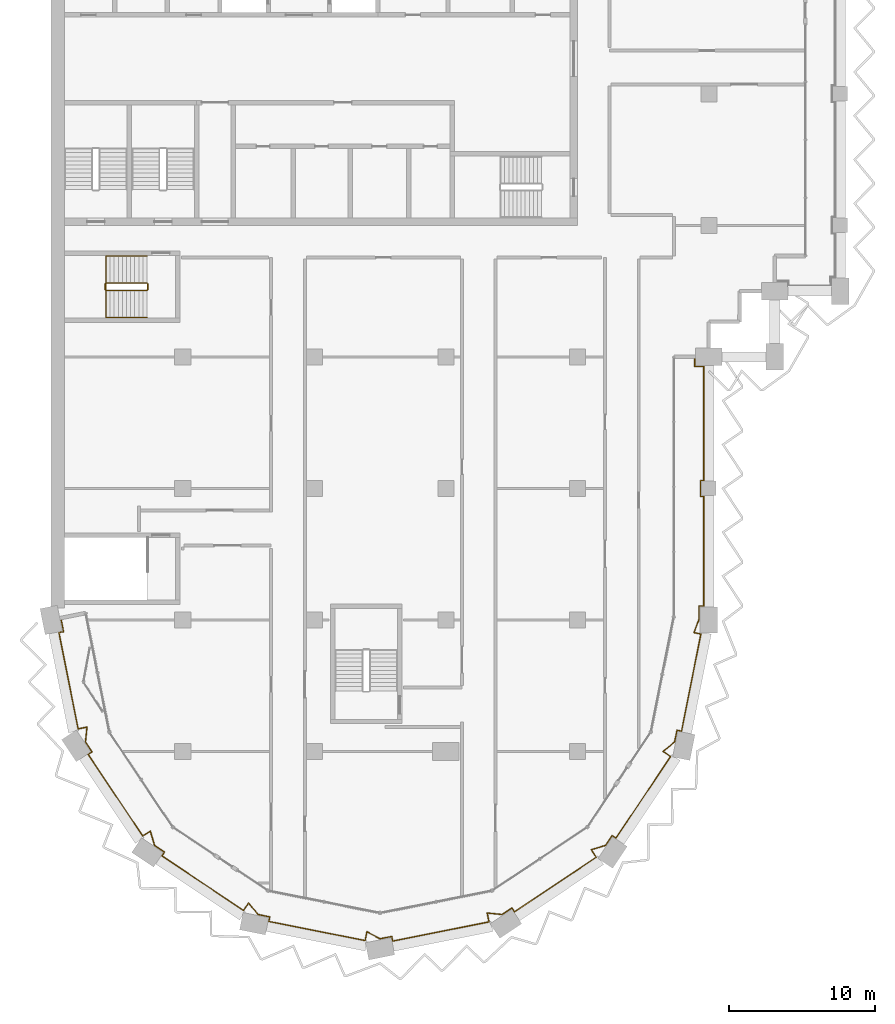
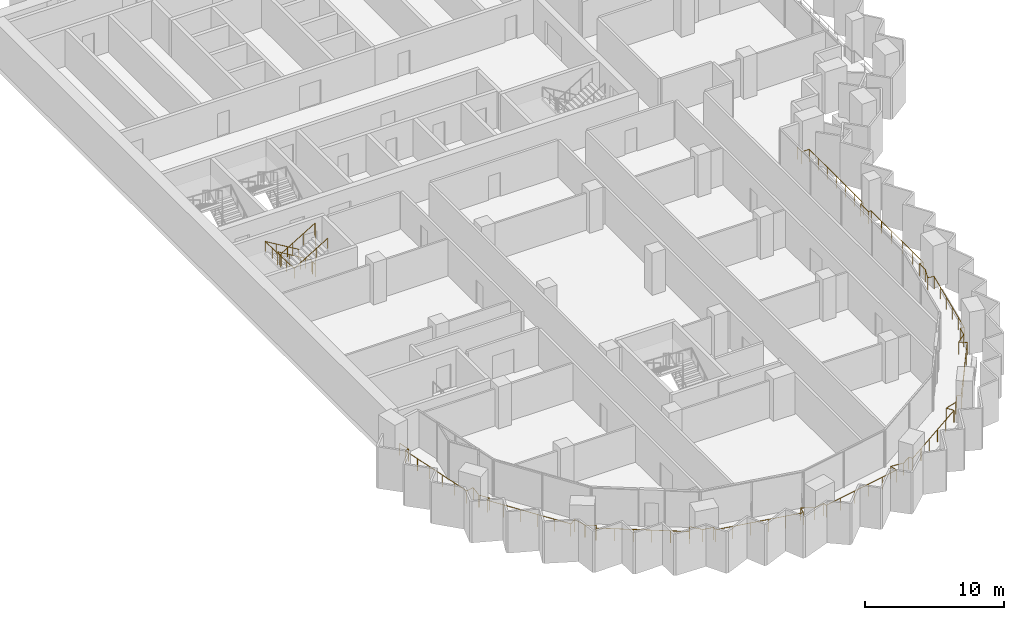
# One storey, part 16 of 18: 3 railings.
"""IFC4 building model written with IfcOpenShell, lengths in metres."""

from ifc_helpers import new_model, si_unit, direction, frame, origin, origin_2d, place, context, subcontext, project, spatial, circle, extrude, material, type_object, element, save


model = new_model("IFC4")

# Units and contexts
model_context = context("Model", 3, precision=1e-05, world=origin(), true_north=direction((0.0, 1.0)))
body_context = subcontext(model_context, "Body", "Model", "MODEL_VIEW")
ifc_project = project(units=[si_unit("LENGTHUNIT", "METRE"), si_unit("AREAUNIT", "SQUARE_METRE"), si_unit("VOLUMEUNIT", "CUBIC_METRE"), si_unit("PLANEANGLEUNIT", "RADIAN"), si_unit("MASSUNIT", "GRAM", prefix="KILO")], contexts=[model_context])

# Site, building, storey
site_placement = place(None, origin())
site = spatial("IfcSite", under=ifc_project, at=site_placement, CompositionType="ELEMENT")
building_placement = place(site_placement, origin())
building = spatial("IfcBuilding", under=site, at=building_placement, Name="Hunhe Ridgeline Campus", CompositionType="ELEMENT")
storey_placement = place(building_placement, frame((0.0, 0.0, 223.5)))
storey = spatial("IfcBuildingStorey", under=building, at=storey_placement, Name="L57", CompositionType="ELEMENT", Elevation=223.5)

# Railings
ifc_material_1 = material(Name="Steel Q355", Category="steel")
railing_type_1 = type_object("IfcRailingType", Name="Loggia guard 1100 Steel Q355", PredefinedType="GUARDRAIL", material=ifc_material_1)
railing_1_placement = place(storey_placement, frame((0.6572265625, 36.130615234375, 0.0)))
element("IfcRailing", 1, at=railing_1_placement, inside=storey, type_object=railing_type_1, Name="Loggia guard 1", PredefinedType="GUARDRAIL", context=body_context, shape_type="SweptSolid", body=[
    extrude(circle(Radius=0.02392578125, at=origin_2d()), frame((0.0, 0.0, 1.076171875), z_axis=(0.195078060519, -0.980787719287, 0.0), x_axis=(0.980787719287, 0.195078060519, 0.0)), (0.0, 0.0, 1.0), 0.949951171875),
    extrude(circle(Radius=0.02392578125, at=origin_2d()), frame((0.185302734375, -0.931640625, 1.076171875), z_axis=(-0.980756274917, -0.195236085831, 0.0), x_axis=(0.195236085831, -0.980756274917, 0.0)), (0.0, 0.0, 1.0), 0.320068359375),
    extrude(circle(Radius=0.02392578125, at=origin_2d()), frame((-0.128662109375, -0.994140625, 1.076171875), z_axis=(0.195081688297, -0.980786997717, 0.0), x_axis=(0.980786997717, 0.195081688297, 0.0)), (0.0, 0.0, 1.0), 6.718017578125),
    extrude(circle(Radius=0.02392578125, at=origin_2d()), frame((1.181884765625, -7.5830078125, 1.076171875), z_axis=(0.980747227858, 0.195281527671, 0.0), x_axis=(-0.195281527671, 0.980747227858, 0.0)), (0.0, 0.0, 1.0), 0.618896484375),
    extrude(circle(Radius=0.02392578125, at=origin_2d()), frame((1.788818359375, -7.462158203125, 1.076171875), z_axis=(-0.100047453171, -0.99498266674, 0.0), x_axis=(0.99498266674, -0.100047453171, 0.0)), (0.0, 0.0, 1.0), 1.0224609375),
    extrude(circle(Radius=0.02392578125, at=origin_2d()), frame((1.6865234375, -8.4794921875, 1.076171875), z_axis=(0.555596479569, -0.83145207432, 0.0), x_axis=(0.83145207432, 0.555596479569, 0.0)), (0.0, 0.0, 1.0), 0.81689453125),
    extrude(circle(Radius=0.02392578125, at=origin_2d()), frame((2.140380859375, -9.15869140625, 1.076171875), z_axis=(-0.831580508376, -0.555404229448, 0.0), x_axis=(0.555404229448, -0.831580508376, 0.0)), (0.0, 0.0, 1.0), 0.320068359375),
    extrude(circle(Radius=0.02392578125, at=origin_2d()), frame((1.874267578125, -9.33642578125, 1.076171875), z_axis=(0.555588848626, -0.831457173451, 0.0), x_axis=(0.831457173451, 0.555588848626, 0.0)), (0.0, 0.0, 1.0), 6.718017578125),
    extrude(circle(Radius=0.02392578125, at=origin_2d()), frame((5.606689453125, -14.922119140625, 1.076171875), z_axis=(0.831442704119, 0.555610501851, 0.0), x_axis=(-0.555610501851, 0.831442704119, 0.0)), (0.0, 0.0, 1.0), 0.61865234375),
    extrude(circle(Radius=0.02392578125, at=origin_2d()), frame((6.12109375, -14.578369140625, 1.076171875), z_axis=(0.28844300651, -0.957497066312, 0.0), x_axis=(0.957497066312, 0.28844300651, 0.0)), (0.0, 0.0, 1.0), 1.0224609375),
    extrude(circle(Radius=0.02392578125, at=origin_2d()), frame((6.416015625, -15.557373046875, 1.076171875), z_axis=(0.831359782977, -0.55573456906, 0.0), x_axis=(0.55573456906, 0.831359782977, 0.0)), (0.0, 0.0, 1.0), 0.816650390625),
    extrude(circle(Radius=0.02392578125, at=origin_2d()), frame((7.094970703125, -16.01123046875, 1.076171875), z_axis=(-0.555404229448, -0.831580508376, 0.0), x_axis=(0.831580508376, -0.555404229448, 0.0)), (0.0, 0.0, 1.0), 0.320068359375),
    extrude(circle(Radius=0.02392578125, at=origin_2d()), frame((6.917236328125, -16.27734375, 1.076171875), z_axis=(0.831473961305, -0.555563724222, 0.0), x_axis=(0.555563724222, 0.831473961305, 0.0)), (0.0, 0.0, 1.0), 6.7177734375),
    extrude(circle(Radius=0.02392578125, at=origin_2d()), frame((12.5029296875, -20.009521484375, 1.076171875), z_axis=(0.555610501851, 0.831442704119, 0.0), x_axis=(-0.831442704119, 0.555610501851, 0.0)), (0.0, 0.0, 1.0), 0.61865234375),
    extrude(circle(Radius=0.02392578125, at=origin_2d()), frame((12.8466796875, -19.4951171875, 1.076171875), z_axis=(0.63289971186, -0.774233785576, 0.0), x_axis=(0.774233785576, 0.63289971186, 0.0)), (0.0, 0.0, 1.0), 1.022705078125),
    extrude(circle(Radius=0.02392578125, at=origin_2d()), frame((13.493896484375, -20.286865234375, 1.076171875), z_axis=(0.980821383877, -0.194908729743, 0.0), x_axis=(0.194908729743, 0.980821383877, 0.0)), (0.0, 0.0, 1.0), 0.816650390625),
    extrude(circle(Radius=0.02392578125, at=origin_2d()), frame((14.294921875, -20.446044921875, 1.076171875), z_axis=(-0.195236085831, -0.980756274917, 0.0), x_axis=(0.980756274917, -0.195236085831, 0.0)), (0.0, 0.0, 1.0), 0.320068359375),
    extrude(circle(Radius=0.02392578125, at=origin_2d()), frame((14.232421875, -20.760009765625, 1.076171875), z_axis=(0.980786997717, -0.195081688297, 0.0), x_axis=(0.195081688297, 0.980786997717, 0.0)), (0.0, 0.0, 1.0), 6.718017578125),
    extrude(circle(Radius=0.02392578125, at=origin_2d()), frame((20.8212890625, -22.070556640625, 1.076171875), z_axis=(0.194902020226, 0.980822717168, 0.0), x_axis=(-0.980822717168, 0.194902020226, 0.0)), (0.0, 0.0, 1.0), 0.618896484375),
    extrude(circle(Radius=0.02392578125, at=origin_2d()), frame((20.94189453125, -21.463623046875, 1.076171875), z_axis=(0.880961256043, -0.473188403652, 0.0), x_axis=(0.473188403652, 0.880961256043, 0.0)), (0.0, 0.0, 1.0), 1.022705078125),
    extrude(circle(Radius=0.02392578125, at=origin_2d()), frame((21.8427734375, -21.947509765625, 1.076171875), z_axis=(0.980764196543, 0.195196287822, 0.0), x_axis=(-0.195196287822, 0.980764196543, 0.0)), (0.0, 0.0, 1.0), 0.816650390625),
    extrude(circle(Radius=0.02392578125, at=origin_2d()), frame((22.643798828125, -21.7880859375, 1.076171875), z_axis=(0.195236085831, -0.980756274917, 0.0), x_axis=(0.980756274917, 0.195236085831, 0.0)), (0.0, 0.0, 1.0), 0.320068359375),
    extrude(circle(Radius=0.02392578125, at=origin_2d()), frame((22.706298828125, -22.10205078125, 1.076171875), z_axis=(0.980786997717, 0.195081688297, 0.0), x_axis=(-0.195081688297, 0.980786997717, 0.0)), (0.0, 0.0, 1.0), 6.718017578125),
    extrude(circle(Radius=0.02392578125, at=origin_2d()), frame((29.295166015625, -20.79150390625, 1.076171875), z_axis=(-0.195281527671, 0.980747227858, 0.0), x_axis=(-0.980747227858, -0.195281527671, 0.0)), (0.0, 0.0, 1.0), 0.618896484375),
    extrude(circle(Radius=0.02392578125, at=origin_2d()), frame((29.17431640625, -20.1845703125, 1.076171875), z_axis=(0.99498266674, -0.100047453171, 0.0), x_axis=(0.100047453171, 0.99498266674, 0.0)), (0.0, 0.0, 1.0), 1.0224609375),
    extrude(circle(Radius=0.02392578125, at=origin_2d()), frame((30.191650390625, -20.286865234375, 1.076171875), z_axis=(0.83145207432, 0.555596479569, 0.0), x_axis=(-0.555596479569, 0.83145207432, 0.0)), (0.0, 0.0, 1.0), 0.81689453125),
    extrude(circle(Radius=0.02392578125, at=origin_2d()), frame((30.870849609375, -19.8330078125, 1.076171875), z_axis=(0.555404229448, -0.831580508376, 0.0), x_axis=(0.831580508376, 0.555404229448, 0.0)), (0.0, 0.0, 1.0), 0.320068359375),
    extrude(circle(Radius=0.02392578125, at=origin_2d()), frame((31.048583984375, -20.09912109375, 1.076171875), z_axis=(0.831457173451, 0.555588848626, 0.0), x_axis=(-0.555588848626, 0.831457173451, 0.0)), (0.0, 0.0, 1.0), 6.718017578125),
    extrude(circle(Radius=0.02392578125, at=origin_2d()), frame((36.63427734375, -16.36669921875, 1.076171875), z_axis=(-0.555610501851, 0.831442704119, 0.0), x_axis=(-0.831442704119, -0.555610501851, 0.0)), (0.0, 0.0, 1.0), 0.61865234375),
    extrude(circle(Radius=0.02392578125, at=origin_2d()), frame((36.29052734375, -15.852294921875, 1.076171875), z_axis=(0.957497066312, 0.28844300651, 0.0), x_axis=(-0.28844300651, 0.957497066312, 0.0)), (0.0, 0.0, 1.0), 1.0224609375),
    extrude(circle(Radius=0.02392578125, at=origin_2d()), frame((37.26953125, -15.557373046875, 1.076171875), z_axis=(0.55573456906, 0.831359782977, 0.0), x_axis=(-0.831359782977, 0.55573456906, 0.0)), (0.0, 0.0, 1.0), 0.816650390625),
    extrude(circle(Radius=0.02392578125, at=origin_2d()), frame((37.723388671875, -14.87841796875, 1.076171875), z_axis=(0.831580508376, -0.555404229448, 0.0), x_axis=(0.555404229448, 0.831580508376, 0.0)), (0.0, 0.0, 1.0), 0.320068359375),
    extrude(circle(Radius=0.02392578125, at=origin_2d()), frame((37.989501953125, -15.05615234375, 1.076171875), z_axis=(0.555563724222, 0.831473961305, 0.0), x_axis=(-0.831473961305, 0.555563724222, 0.0)), (0.0, 0.0, 1.0), 6.7177734375),
    extrude(circle(Radius=0.02392578125, at=origin_2d()), frame((41.7216796875, -9.470458984375, 1.076171875), z_axis=(-0.831442704119, 0.555610501851, 0.0), x_axis=(-0.555610501851, -0.831442704119, 0.0)), (0.0, 0.0, 1.0), 0.61865234375),
    extrude(circle(Radius=0.02392578125, at=origin_2d()), frame((41.207275390625, -9.126708984375, 1.076171875), z_axis=(0.774233785576, 0.63289971186, 0.0), x_axis=(-0.63289971186, 0.774233785576, 0.0)), (0.0, 0.0, 1.0), 1.022705078125),
    extrude(circle(Radius=0.02392578125, at=origin_2d()), frame((41.9990234375, -8.4794921875, 1.076171875), z_axis=(0.194908729743, 0.980821383877, 0.0), x_axis=(-0.980821383877, 0.194908729743, 0.0)), (0.0, 0.0, 1.0), 0.816650390625),
    extrude(circle(Radius=0.02392578125, at=origin_2d()), frame((42.158203125, -7.678466796875, 1.076171875), z_axis=(0.980756274917, -0.195236085831, 0.0), x_axis=(0.195236085831, 0.980756274917, 0.0)), (0.0, 0.0, 1.0), 0.320068359375),
    extrude(circle(Radius=0.02392578125, at=origin_2d()), frame((42.47216796875, -7.740966796875, 1.076171875), z_axis=(0.195084106665, 0.980786516693, 0.0), x_axis=(-0.980786516693, 0.195084106665, 0.0)), (0.0, 0.0, 1.0), 6.779296875),
    extrude(circle(Radius=0.02392578125, at=origin_2d()), frame((43.794677734375, -1.092041015625, 1.076171875), z_axis=(-0.980754922768, 0.195242878144, 0.0), x_axis=(-0.195242878144, -0.980754922768, 0.0)), (0.0, 0.0, 1.0), 0.48388671875),
    extrude(circle(Radius=0.02392578125, at=origin_2d()), frame((43.320068359375, -0.99755859375, 1.076171875), z_axis=(0.353724256779, 0.93534974751, 0.0), x_axis=(-0.93534974751, 0.353724256779, 0.0)), (0.0, 0.0, 1.0), 0.997314453125),
    extrude(circle(Radius=0.02392578125, at=origin_2d()), frame((43.6728515625, -0.064697265625, 1.076171875), z_axis=(0.0, 1.0, 0.0), x_axis=(-1.0, 0.0, 0.0)), (0.0, 0.0, 1.0), 0.884033203125),
    extrude(circle(Radius=0.02392578125, at=origin_2d()), frame((43.6728515625, 0.8193359375, 1.076171875), z_axis=(1.0, 0.0, 0.0), x_axis=(0.0, 1.0, 0.0)), (0.0, 0.0, 1.0), 0.31982421875),
    extrude(circle(Radius=0.02392578125, at=origin_2d()), frame((43.99267578125, 0.8193359375, 1.076171875), z_axis=(0.0, 1.0, 0.0), x_axis=(-1.0, 0.0, 0.0)), (0.0, 0.0, 1.0), 7.5),
    extrude(circle(Radius=0.02392578125, at=origin_2d()), frame((43.99267578125, 8.3193359375, 1.076171875), z_axis=(-1.0, 0.0, 0.0), x_axis=(0.0, -1.0, 0.0)), (0.0, 0.0, 1.0), 0.219970703125),
    extrude(circle(Radius=0.02392578125, at=origin_2d()), frame((43.772705078125, 8.3193359375, 1.076171875), z_axis=(0.0, 1.0, 0.0), x_axis=(-1.0, 0.0, 0.0)), (0.0, 0.0, 1.0), 1.10009765625),
    extrude(circle(Radius=0.02392578125, at=origin_2d()), frame((43.772705078125, 9.41943359375, 1.076171875), z_axis=(1.0, 0.0, 0.0), x_axis=(0.0, 1.0, 0.0)), (0.0, 0.0, 1.0), 0.219970703125),
    extrude(circle(Radius=0.02392578125, at=origin_2d()), frame((43.99267578125, 9.41943359375, 1.076171875), z_axis=(0.0, 1.0, 0.0), x_axis=(-1.0, 0.0, 0.0)), (0.0, 0.0, 1.0), 7.800048828125),
    extrude(circle(Radius=0.02392578125, at=origin_2d()), frame((43.99267578125, 17.219482421875, 1.076171875), z_axis=(-1.0, 0.0, 0.0), x_axis=(0.0, -1.0, 0.0)), (0.0, 0.0, 1.0), 0.619873046875),
    extrude(circle(Radius=0.02392578125, at=origin_2d()), frame((43.372802734375, 17.219482421875, 1.076171875), z_axis=(0.0, 1.0, 0.0), x_axis=(-1.0, 0.0, 0.0)), (0.0, 0.0, 1.0), 0.64990234375),
    extrude(circle(Radius=0.02099609375, at=origin_2d()), origin(), (0.0, 0.0, 1.0), 1.052001953125),
    extrude(circle(Radius=0.02099609375, at=origin_2d()), frame((0.185302734375, -0.931640625, 0.0)), (0.0, 0.0, 1.0), 1.052001953125),
    extrude(circle(Radius=0.02099609375, at=origin_2d()), frame((-0.128662109375, -0.994140625, 0.0)), (0.0, 0.0, 1.0), 1.052001953125),
    extrude(circle(Radius=0.02099609375, at=origin_2d()), frame((0.133544921875, -2.31201171875, 0.0)), (0.0, 0.0, 1.0), 1.052001953125),
    extrude(circle(Radius=0.02099609375, at=origin_2d()), frame((0.3955078125, -3.629638671875, 0.0)), (0.0, 0.0, 1.0), 1.052001953125),
    extrude(circle(Radius=0.02099609375, at=origin_2d()), frame((0.65771484375, -4.947509765625, 0.0)), (0.0, 0.0, 1.0), 1.052001953125),
    extrude(circle(Radius=0.02099609375, at=origin_2d()), frame((0.919677734375, -6.26513671875, 0.0)), (0.0, 0.0, 1.0), 1.052001953125),
    extrude(circle(Radius=0.02099609375, at=origin_2d()), frame((1.181884765625, -7.5830078125, 0.0)), (0.0, 0.0, 1.0), 1.052001953125),
    extrude(circle(Radius=0.02099609375, at=origin_2d()), frame((1.788818359375, -7.462158203125, 0.0)), (0.0, 0.0, 1.0), 1.052001953125),
    extrude(circle(Radius=0.02099609375, at=origin_2d()), frame((1.6865234375, -8.4794921875, 0.0)), (0.0, 0.0, 1.0), 1.052001953125),
    extrude(circle(Radius=0.02099609375, at=origin_2d()), frame((2.140380859375, -9.15869140625, 0.0)), (0.0, 0.0, 1.0), 1.052001953125),
    extrude(circle(Radius=0.02099609375, at=origin_2d()), frame((1.874267578125, -9.33642578125, 0.0)), (0.0, 0.0, 1.0), 1.052001953125),
    extrude(circle(Radius=0.02099609375, at=origin_2d()), frame((2.620849609375, -10.45361328125, 0.0)), (0.0, 0.0, 1.0), 1.052001953125),
    extrude(circle(Radius=0.02099609375, at=origin_2d()), frame((3.3671875, -11.57080078125, 0.0)), (0.0, 0.0, 1.0), 1.052001953125),
    extrude(circle(Radius=0.02099609375, at=origin_2d()), frame((4.11376953125, -12.687744140625, 0.0)), (0.0, 0.0, 1.0), 1.052001953125),
    extrude(circle(Radius=0.02099609375, at=origin_2d()), frame((4.860107421875, -13.804931640625, 0.0)), (0.0, 0.0, 1.0), 1.052001953125),
    extrude(circle(Radius=0.02099609375, at=origin_2d()), frame((5.606689453125, -14.922119140625, 0.0)), (0.0, 0.0, 1.0), 1.052001953125),
    extrude(circle(Radius=0.02099609375, at=origin_2d()), frame((6.12109375, -14.578369140625, 0.0)), (0.0, 0.0, 1.0), 1.052001953125),
    extrude(circle(Radius=0.02099609375, at=origin_2d()), frame((6.416015625, -15.557373046875, 0.0)), (0.0, 0.0, 1.0), 1.052001953125),
    extrude(circle(Radius=0.02099609375, at=origin_2d()), frame((7.094970703125, -16.01123046875, 0.0)), (0.0, 0.0, 1.0), 1.052001953125),
    extrude(circle(Radius=0.02099609375, at=origin_2d()), frame((6.917236328125, -16.27734375, 0.0)), (0.0, 0.0, 1.0), 1.052001953125),
    extrude(circle(Radius=0.02099609375, at=origin_2d()), frame((8.034423828125, -17.023681640625, 0.0)), (0.0, 0.0, 1.0), 1.052001953125),
    extrude(circle(Radius=0.02099609375, at=origin_2d()), frame((9.151611328125, -17.770263671875, 0.0)), (0.0, 0.0, 1.0), 1.052001953125),
    extrude(circle(Radius=0.02099609375, at=origin_2d()), frame((10.2685546875, -18.5166015625, 0.0)), (0.0, 0.0, 1.0), 1.052001953125),
    extrude(circle(Radius=0.02099609375, at=origin_2d()), frame((11.3857421875, -19.26318359375, 0.0)), (0.0, 0.0, 1.0), 1.052001953125),
    extrude(circle(Radius=0.02099609375, at=origin_2d()), frame((12.5029296875, -20.009521484375, 0.0)), (0.0, 0.0, 1.0), 1.052001953125),
    extrude(circle(Radius=0.02099609375, at=origin_2d()), frame((12.8466796875, -19.4951171875, 0.0)), (0.0, 0.0, 1.0), 1.052001953125),
    extrude(circle(Radius=0.02099609375, at=origin_2d()), frame((13.493896484375, -20.286865234375, 0.0)), (0.0, 0.0, 1.0), 1.052001953125),
    extrude(circle(Radius=0.02099609375, at=origin_2d()), frame((14.294921875, -20.446044921875, 0.0)), (0.0, 0.0, 1.0), 1.052001953125),
    extrude(circle(Radius=0.02099609375, at=origin_2d()), frame((14.232421875, -20.760009765625, 0.0)), (0.0, 0.0, 1.0), 1.052001953125),
    extrude(circle(Radius=0.02099609375, at=origin_2d()), frame((15.55029296875, -21.022216796875, 0.0)), (0.0, 0.0, 1.0), 1.052001953125),
    extrude(circle(Radius=0.02099609375, at=origin_2d()), frame((16.867919921875, -21.2841796875, 0.0)), (0.0, 0.0, 1.0), 1.052001953125),
    extrude(circle(Radius=0.02099609375, at=origin_2d()), frame((18.185791015625, -21.54638671875, 0.0)), (0.0, 0.0, 1.0), 1.052001953125),
    extrude(circle(Radius=0.02099609375, at=origin_2d()), frame((19.50341796875, -21.808349609375, 0.0)), (0.0, 0.0, 1.0), 1.052001953125),
    extrude(circle(Radius=0.02099609375, at=origin_2d()), frame((20.8212890625, -22.070556640625, 0.0)), (0.0, 0.0, 1.0), 1.052001953125),
    extrude(circle(Radius=0.02099609375, at=origin_2d()), frame((20.94189453125, -21.463623046875, 0.0)), (0.0, 0.0, 1.0), 1.052001953125),
    extrude(circle(Radius=0.02099609375, at=origin_2d()), frame((21.8427734375, -21.947509765625, 0.0)), (0.0, 0.0, 1.0), 1.052001953125),
    extrude(circle(Radius=0.02099609375, at=origin_2d()), frame((22.643798828125, -21.7880859375, 0.0)), (0.0, 0.0, 1.0), 1.052001953125),
    extrude(circle(Radius=0.02099609375, at=origin_2d()), frame((22.706298828125, -22.10205078125, 0.0)), (0.0, 0.0, 1.0), 1.052001953125),
    extrude(circle(Radius=0.02099609375, at=origin_2d()), frame((24.024169921875, -21.83984375, 0.0)), (0.0, 0.0, 1.0), 1.052001953125),
    extrude(circle(Radius=0.02099609375, at=origin_2d()), frame((25.341796875, -21.577880859375, 0.0)), (0.0, 0.0, 1.0), 1.052001953125),
    extrude(circle(Radius=0.02099609375, at=origin_2d()), frame((26.65966796875, -21.315673828125, 0.0)), (0.0, 0.0, 1.0), 1.052001953125),
    extrude(circle(Radius=0.02099609375, at=origin_2d()), frame((27.977294921875, -21.0537109375, 0.0)), (0.0, 0.0, 1.0), 1.052001953125),
    extrude(circle(Radius=0.02099609375, at=origin_2d()), frame((29.295166015625, -20.79150390625, 0.0)), (0.0, 0.0, 1.0), 1.052001953125),
    extrude(circle(Radius=0.02099609375, at=origin_2d()), frame((29.17431640625, -20.1845703125, 0.0)), (0.0, 0.0, 1.0), 1.052001953125),
    extrude(circle(Radius=0.02099609375, at=origin_2d()), frame((30.191650390625, -20.286865234375, 0.0)), (0.0, 0.0, 1.0), 1.052001953125),
    extrude(circle(Radius=0.02099609375, at=origin_2d()), frame((30.870849609375, -19.8330078125, 0.0)), (0.0, 0.0, 1.0), 1.052001953125),
    extrude(circle(Radius=0.02099609375, at=origin_2d()), frame((31.048583984375, -20.09912109375, 0.0)), (0.0, 0.0, 1.0), 1.052001953125),
    extrude(circle(Radius=0.02099609375, at=origin_2d()), frame((32.165771484375, -19.3525390625, 0.0)), (0.0, 0.0, 1.0), 1.052001953125),
    extrude(circle(Radius=0.02099609375, at=origin_2d()), frame((33.282958984375, -18.606201171875, 0.0)), (0.0, 0.0, 1.0), 1.052001953125),
    extrude(circle(Radius=0.02099609375, at=origin_2d()), frame((34.39990234375, -17.859619140625, 0.0)), (0.0, 0.0, 1.0), 1.052001953125),
    extrude(circle(Radius=0.02099609375, at=origin_2d()), frame((35.51708984375, -17.11328125, 0.0)), (0.0, 0.0, 1.0), 1.052001953125),
    extrude(circle(Radius=0.02099609375, at=origin_2d()), frame((36.63427734375, -16.36669921875, 0.0)), (0.0, 0.0, 1.0), 1.052001953125),
    extrude(circle(Radius=0.02099609375, at=origin_2d()), frame((36.29052734375, -15.852294921875, 0.0)), (0.0, 0.0, 1.0), 1.052001953125),
    extrude(circle(Radius=0.02099609375, at=origin_2d()), frame((37.26953125, -15.557373046875, 0.0)), (0.0, 0.0, 1.0), 1.052001953125),
    extrude(circle(Radius=0.02099609375, at=origin_2d()), frame((37.723388671875, -14.87841796875, 0.0)), (0.0, 0.0, 1.0), 1.052001953125),
    extrude(circle(Radius=0.02099609375, at=origin_2d()), frame((37.989501953125, -15.05615234375, 0.0)), (0.0, 0.0, 1.0), 1.052001953125),
    extrude(circle(Radius=0.02099609375, at=origin_2d()), frame((38.73583984375, -13.93896484375, 0.0)), (0.0, 0.0, 1.0), 1.052001953125),
    extrude(circle(Radius=0.02099609375, at=origin_2d()), frame((39.482421875, -12.82177734375, 0.0)), (0.0, 0.0, 1.0), 1.052001953125),
    extrude(circle(Radius=0.02099609375, at=origin_2d()), frame((40.228759765625, -11.704833984375, 0.0)), (0.0, 0.0, 1.0), 1.052001953125),
    extrude(circle(Radius=0.02099609375, at=origin_2d()), frame((40.975341796875, -10.587646484375, 0.0)), (0.0, 0.0, 1.0), 1.052001953125),
    extrude(circle(Radius=0.02099609375, at=origin_2d()), frame((41.7216796875, -9.470458984375, 0.0)), (0.0, 0.0, 1.0), 1.052001953125),
    extrude(circle(Radius=0.02099609375, at=origin_2d()), frame((41.207275390625, -9.126708984375, 0.0)), (0.0, 0.0, 1.0), 1.052001953125),
    extrude(circle(Radius=0.02099609375, at=origin_2d()), frame((41.9990234375, -8.4794921875, 0.0)), (0.0, 0.0, 1.0), 1.052001953125),
    extrude(circle(Radius=0.02099609375, at=origin_2d()), frame((42.158203125, -7.678466796875, 0.0)), (0.0, 0.0, 1.0), 1.052001953125),
    extrude(circle(Radius=0.02099609375, at=origin_2d()), frame((42.47216796875, -7.740966796875, 0.0)), (0.0, 0.0, 1.0), 1.052001953125),
    extrude(circle(Radius=0.02099609375, at=origin_2d()), frame((42.736572265625, -6.4111328125, 0.0)), (0.0, 0.0, 1.0), 1.052001953125),
    extrude(circle(Radius=0.02099609375, at=origin_2d()), frame((43.001220703125, -5.081298828125, 0.0)), (0.0, 0.0, 1.0), 1.052001953125),
    extrude(circle(Radius=0.02099609375, at=origin_2d()), frame((43.265625, -3.751708984375, 0.0)), (0.0, 0.0, 1.0), 1.052001953125),
    extrude(circle(Radius=0.02099609375, at=origin_2d()), frame((43.5302734375, -2.421875, 0.0)), (0.0, 0.0, 1.0), 1.052001953125),
    extrude(circle(Radius=0.02099609375, at=origin_2d()), frame((43.794677734375, -1.092041015625, 0.0)), (0.0, 0.0, 1.0), 1.052001953125),
    extrude(circle(Radius=0.02099609375, at=origin_2d()), frame((43.320068359375, -0.99755859375, 0.0)), (0.0, 0.0, 1.0), 1.052001953125),
    extrude(circle(Radius=0.02099609375, at=origin_2d()), frame((43.6728515625, -0.064697265625, 0.0)), (0.0, 0.0, 1.0), 1.052001953125),
    extrude(circle(Radius=0.02099609375, at=origin_2d()), frame((43.6728515625, 0.8193359375, 0.0)), (0.0, 0.0, 1.0), 1.052001953125),
    extrude(circle(Radius=0.02099609375, at=origin_2d()), frame((43.99267578125, 0.8193359375, 0.0)), (0.0, 0.0, 1.0), 1.052001953125),
    extrude(circle(Radius=0.02099609375, at=origin_2d()), frame((43.99267578125, 2.3193359375, 0.0)), (0.0, 0.0, 1.0), 1.052001953125),
    extrude(circle(Radius=0.02099609375, at=origin_2d()), frame((43.99267578125, 3.8193359375, 0.0)), (0.0, 0.0, 1.0), 1.052001953125),
    extrude(circle(Radius=0.02099609375, at=origin_2d()), frame((43.99267578125, 5.3193359375, 0.0)), (0.0, 0.0, 1.0), 1.052001953125),
    extrude(circle(Radius=0.02099609375, at=origin_2d()), frame((43.99267578125, 6.8193359375, 0.0)), (0.0, 0.0, 1.0), 1.052001953125),
    extrude(circle(Radius=0.02099609375, at=origin_2d()), frame((43.99267578125, 8.3193359375, 0.0)), (0.0, 0.0, 1.0), 1.052001953125),
    extrude(circle(Radius=0.02099609375, at=origin_2d()), frame((43.772705078125, 8.3193359375, 0.0)), (0.0, 0.0, 1.0), 1.052001953125),
    extrude(circle(Radius=0.02099609375, at=origin_2d()), frame((43.772705078125, 9.41943359375, 0.0)), (0.0, 0.0, 1.0), 1.052001953125),
    extrude(circle(Radius=0.02099609375, at=origin_2d()), frame((43.99267578125, 9.41943359375, 0.0)), (0.0, 0.0, 1.0), 1.052001953125),
    extrude(circle(Radius=0.02099609375, at=origin_2d()), frame((43.99267578125, 10.719482421875, 0.0)), (0.0, 0.0, 1.0), 1.052001953125),
    extrude(circle(Radius=0.02099609375, at=origin_2d()), frame((43.99267578125, 12.01953125, 0.0)), (0.0, 0.0, 1.0), 1.052001953125),
    extrude(circle(Radius=0.02099609375, at=origin_2d()), frame((43.99267578125, 13.3193359375, 0.0)), (0.0, 0.0, 1.0), 1.052001953125),
    extrude(circle(Radius=0.02099609375, at=origin_2d()), frame((43.99267578125, 14.619384765625, 0.0)), (0.0, 0.0, 1.0), 1.052001953125),
    extrude(circle(Radius=0.02099609375, at=origin_2d()), frame((43.99267578125, 15.91943359375, 0.0)), (0.0, 0.0, 1.0), 1.052001953125),
    extrude(circle(Radius=0.02099609375, at=origin_2d()), frame((43.99267578125, 17.219482421875, 0.0)), (0.0, 0.0, 1.0), 1.052001953125),
    extrude(circle(Radius=0.02099609375, at=origin_2d()), frame((43.372802734375, 17.219482421875, 0.0)), (0.0, 0.0, 1.0), 1.052001953125),
    extrude(circle(Radius=0.02099609375, at=origin_2d()), frame((43.372802734375, 17.869384765625, 0.0)), (0.0, 0.0, 1.0), 1.052001953125),
])
ifc_material_2 = material(Name="Stainless steel balustrade", Category="steel")
railing_type_2 = type_object("IfcRailingType", Name="Stair guard 1100 stainless", PredefinedType="GUARDRAIL", material=ifc_material_2)
railing_2_placement = place(storey_placement, frame((6.550048828125, 59.050048828125, 0.168212890625)))
element("IfcRailing", 2, at=railing_2_placement, inside=storey, type_object=railing_type_2, Name="L57 stair W2 guard", PredefinedType="GUARDRAIL", context=body_context, shape_type="SweptSolid", body=[
    extrude(circle(Radius=0.02392578125, at=origin_2d()), frame((0.0, 0.0, 1.076171875), z_axis=(-0.857242210791, 0.0, 0.514913383045), x_axis=(0.0, -1.0, 0.0)), (0.0, 0.0, 1.0), 3.266357421875),
    extrude(circle(Radius=0.02392578125, at=origin_2d()), frame((-2.800048828125, 0.0, 2.7578125), z_axis=(-0.707106781187, -0.707106781187, 0.0), x_axis=(0.707106781187, -0.707106781187, 0.0)), (0.0, 0.0, 1.0), 0.07080078125),
    extrude(circle(Radius=0.02392578125, at=origin_2d()), frame((-2.85009765625, -0.050048828125, 2.7578125), z_axis=(0.0, -1.0, 0.0), x_axis=(1.0, 0.0, 0.0)), (0.0, 0.0, 1.0), 0.39990234375),
    extrude(circle(Radius=0.02392578125, at=origin_2d()), frame((-2.85009765625, -0.449951171875, 2.7578125), z_axis=(0.274582412415, -0.274582412415, 0.921525364591), x_axis=(0.707106781187, 0.707106781187, 0.0)), (0.0, 0.0, 1.0), 0.182373046875),
    extrude(circle(Radius=0.02392578125, at=origin_2d()), frame((-2.800048828125, -0.5, 2.92578125), z_axis=(0.857242210791, 0.0, 0.514913383045), x_axis=(0.0, 1.0, 0.0)), (0.0, 0.0, 1.0), 3.266357421875),
    extrude(circle(Radius=0.02392578125, at=origin_2d()), frame((0.0, -0.5, 4.60791015625), z_axis=(0.013524414389, 0.013524414389, -0.999817073484), x_axis=(-0.707106781187, 0.707106781187, 0.0)), (0.0, 0.0, 1.0), 3.70068359375),
    extrude(circle(Radius=0.02392578125, at=origin_2d()), frame((0.050048828125, -0.449951171875, 0.90771484375), z_axis=(0.0, 1.0, 0.0), x_axis=(-1.0, 0.0, 0.0)), (0.0, 0.0, 1.0), 0.39990234375),
    extrude(circle(Radius=0.02099609375, at=origin_2d()), origin(), (0.0, 0.0, 1.0), 1.052001953125),
    extrude(circle(Radius=0.02099609375, at=origin_2d()), frame((-0.933349609375, 0.0, 0.560546875)), (0.0, 0.0, 1.0), 1.052001953125),
    extrude(circle(Radius=0.02099609375, at=origin_2d()), frame((-1.86669921875, 0.0, 1.121337890625)), (0.0, 0.0, 1.0), 1.052001953125),
    extrude(circle(Radius=0.02099609375, at=origin_2d()), frame((-2.800048828125, 0.0, 1.681884765625)), (0.0, 0.0, 1.0), 1.052001953125),
    extrude(circle(Radius=0.02099609375, at=origin_2d()), frame((-2.85009765625, -0.050048828125, 1.681884765625)), (0.0, 0.0, 1.0), 1.052001953125),
    extrude(circle(Radius=0.02099609375, at=origin_2d()), frame((-2.85009765625, -0.449951171875, 1.681884765625)), (0.0, 0.0, 1.0), 1.052001953125),
    extrude(circle(Radius=0.02099609375, at=origin_2d()), frame((-2.800048828125, -0.5, 1.849853515625)), (0.0, 0.0, 1.0), 1.052001953125),
    extrude(circle(Radius=0.02099609375, at=origin_2d()), frame((-1.86669921875, -0.5, 2.410400390625)), (0.0, 0.0, 1.0), 1.052001953125),
    extrude(circle(Radius=0.02099609375, at=origin_2d()), frame((-0.933349609375, -0.5, 2.97119140625)), (0.0, 0.0, 1.0), 1.052001953125),
    extrude(circle(Radius=0.02099609375, at=origin_2d()), frame((0.0, -0.5, 3.53173828125)), (0.0, 0.0, 1.0), 1.052001953125),
    extrude(circle(Radius=0.02099609375, at=origin_2d()), frame((0.012451171875, -0.487548828125, 2.606689453125)), (0.0, 0.0, 1.0), 1.052001953125),
    extrude(circle(Radius=0.02099609375, at=origin_2d()), frame((0.02490234375, -0.47509765625, 1.681640625)), (0.0, 0.0, 1.0), 1.052001953125),
    extrude(circle(Radius=0.02099609375, at=origin_2d()), frame((0.03759765625, -0.46240234375, 0.7568359375)), (0.0, 0.0, 1.0), 1.052001953125),
    extrude(circle(Radius=0.02099609375, at=origin_2d()), frame((0.050048828125, -0.449951171875, -0.168212890625)), (0.0, 0.0, 1.0), 1.052001953125),
    extrude(circle(Radius=0.02099609375, at=origin_2d()), frame((0.050048828125, -0.050048828125, -0.168212890625)), (0.0, 0.0, 1.0), 1.052001953125),
])
ifc_material_3 = material(Name="Stainless steel handrail", Category="steel")
railing_type_3 = type_object("IfcRailingType", Name="Stair handrail 900 stainless", PredefinedType="HANDRAIL", material=ifc_material_3)
railing_3_placement = place(storey_placement, frame((6.550048828125, 60.89990234375, 0.168212890625)))
element("IfcRailing", 3, at=railing_3_placement, inside=storey, type_object=railing_type_3, Name="L57 stair W2 handrail", PredefinedType="HANDRAIL", context=body_context, shape_type="SweptSolid", body=[
    extrude(circle(Radius=0.02392578125, at=origin_2d()), frame((0.0, 0.0, 0.8759765625), z_axis=(-0.857242210791, 0.0, 0.514913383045), x_axis=(0.0, -1.0, 0.0)), (0.0, 0.0, 1.0), 3.266357421875),
    extrude(circle(Radius=0.02392578125, at=origin_2d()), frame((-2.800048828125, 0.0, 2.5576171875), z_axis=(0.0, -0.99920123705, 0.039961079526), x_axis=(1.0, 0.0, 0.0)), (0.0, 0.0, 1.0), 4.203369140625),
    extrude(circle(Radius=0.02392578125, at=origin_2d()), frame((-2.800048828125, -4.199951171875, 2.7255859375), z_axis=(0.857242210791, 0.0, 0.514913383045), x_axis=(0.0, 1.0, 0.0)), (0.0, 0.0, 1.0), 3.266357421875),
    extrude(circle(Radius=0.02099609375, at=origin_2d()), origin(), (0.0, 0.0, 1.0), 0.851806640625),
    extrude(circle(Radius=0.02099609375, at=origin_2d()), frame((-0.933349609375, 0.0, 0.560546875)), (0.0, 0.0, 1.0), 0.851806640625),
    extrude(circle(Radius=0.02099609375, at=origin_2d()), frame((-1.86669921875, 0.0, 1.121337890625)), (0.0, 0.0, 1.0), 0.851806640625),
    extrude(circle(Radius=0.02099609375, at=origin_2d()), frame((-2.800048828125, 0.0, 1.681884765625)), (0.0, 0.0, 1.0), 0.851806640625),
    extrude(circle(Radius=0.02099609375, at=origin_2d()), frame((-2.800048828125, -1.050048828125, 1.723876953125)), (0.0, 0.0, 1.0), 0.851806640625),
    extrude(circle(Radius=0.02099609375, at=origin_2d()), frame((-2.800048828125, -2.10009765625, 1.765869140625)), (0.0, 0.0, 1.0), 0.851806640625),
    extrude(circle(Radius=0.02099609375, at=origin_2d()), frame((-2.800048828125, -3.14990234375, 1.807861328125)), (0.0, 0.0, 1.0), 0.851806640625),
    extrude(circle(Radius=0.02099609375, at=origin_2d()), frame((-2.800048828125, -4.199951171875, 1.849853515625)), (0.0, 0.0, 1.0), 0.851806640625),
    extrude(circle(Radius=0.02099609375, at=origin_2d()), frame((-1.86669921875, -4.199951171875, 2.410400390625)), (0.0, 0.0, 1.0), 0.851806640625),
    extrude(circle(Radius=0.02099609375, at=origin_2d()), frame((-0.933349609375, -4.199951171875, 2.97119140625)), (0.0, 0.0, 1.0), 0.851806640625),
    extrude(circle(Radius=0.02099609375, at=origin_2d()), frame((0.0, -4.199951171875, 3.53173828125)), (0.0, 0.0, 1.0), 0.851806640625),
])

save(model, "model.ifc")
